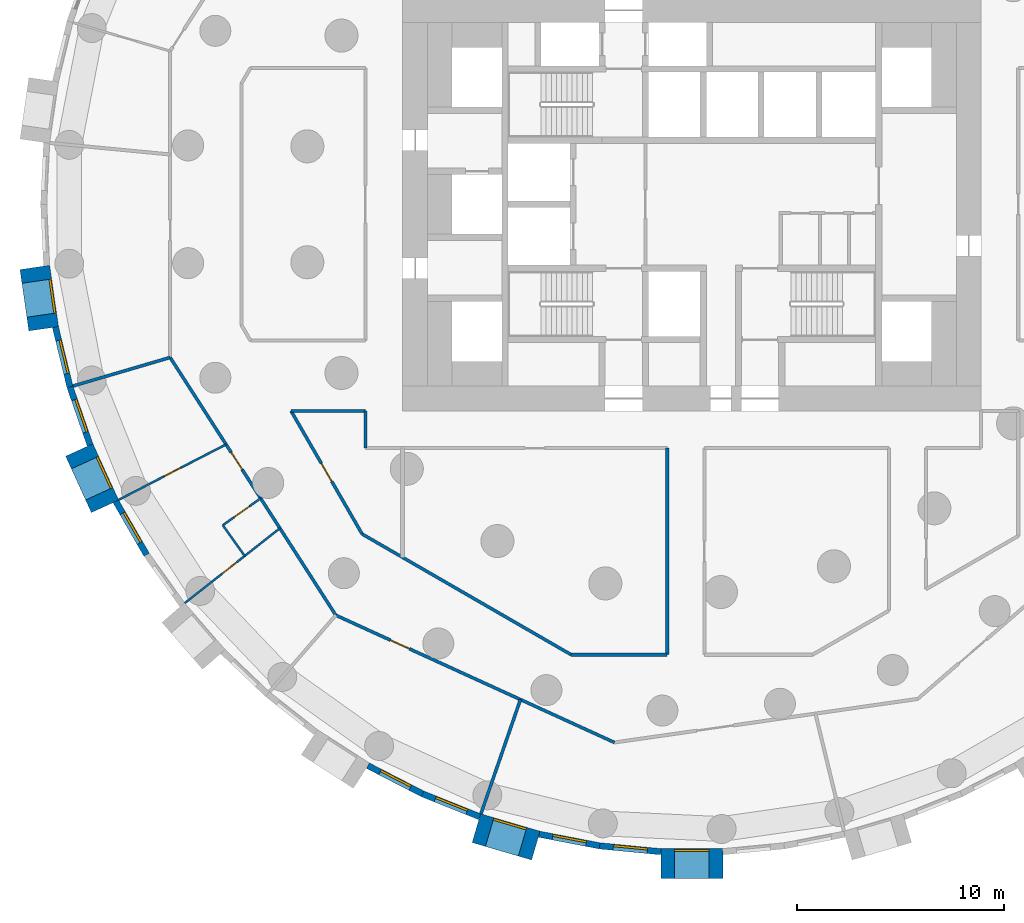
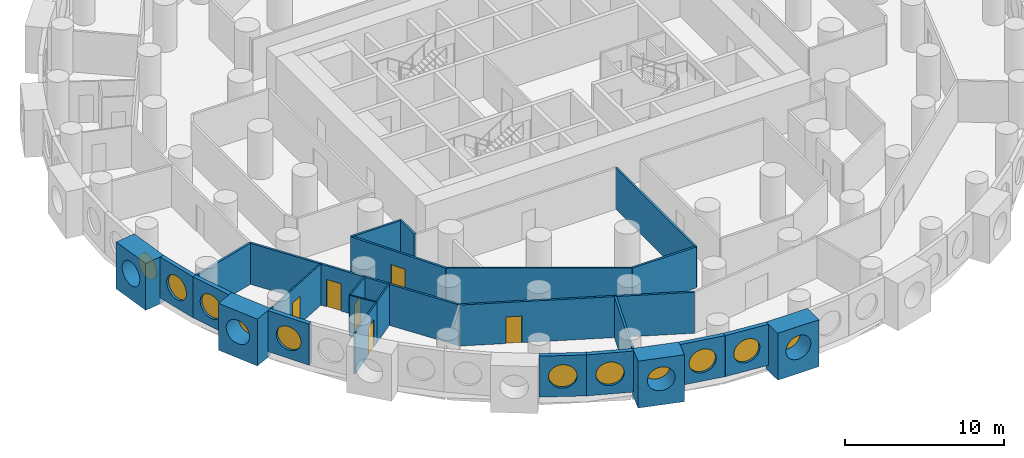
# One storey, part 3 of 12: 26 walls, 11 windows, 6 doors, 17 openings.
"""IFC4 building model written with IfcOpenShell, lengths in metres."""

import ifcopenshell
import ifcopenshell.guid

model = None  # the IFC model being written
_history = None  # IfcOwnerHistory: only IFC2X3 demands one
_inside = {}  # id of a spatial element -> (the spatial element, [elements in it])
_under = {}  # id of a project, library or spatial element -> (it, [spatial elements below it])
_declared = {}  # id of a project -> (the project, [libraries it declares])
_typed = {}  # id of a type object -> (the type object, [elements of that type])
_made_of = {}  # id of a material, layer set ... -> (it, [elements and type objects made of it])


def new_model(schema):
    """Start an empty IFC model of exactly this schema.

    Asked for "IFC4X3", IfcOpenShell would pick the latest addendum, in which some entities
    have other attributes; the version numbers below select the first issue.
    IFC2X3 requires an IfcOwnerHistory on every rooted entity: one is made here for all.
    """
    global model, _history
    if schema == "IFC4X3":
        model = ifcopenshell.file(schema_version=(4, 3, 0, 0))
    else:
        model = ifcopenshell.file(schema=schema)
    _inside.clear()
    _under.clear()
    _declared.clear()
    _typed.clear()
    _made_of.clear()
    _history = None
    if model.schema == "IFC2X3":
        org = make("IfcOrganization", Name="unknown")
        user = make(
            "IfcPersonAndOrganization",
            ThePerson=make("IfcPerson", FamilyName="unknown"),
            TheOrganization=org,
        )
        app = make(
            "IfcApplication",
            ApplicationDeveloper=org,
            Version="unknown",
            ApplicationFullName="unknown",
            ApplicationIdentifier="unknown",
        )
        _history = make(
            "IfcOwnerHistory",
            OwningUser=user,
            OwningApplication=app,
            ChangeAction="ADDED",
            CreationDate=0,
        )
    return model


def make(cls, **values):
    """One entity of the class cls with the attributes given. An attribute that is None is left unset."""
    return model.create_entity(
        cls, **{name: value for name, value in values.items() if value is not None}
    )


def rooted(cls, **values):
    """An entity with a GlobalId (a new one), such as an element, a storey or a relation."""
    return make(cls, GlobalId=ifcopenshell.guid.new(), OwnerHistory=_history, **values)


def si_unit(unit_type, name, prefix=None):
    """IfcSIUnit, for example si_unit("LENGTHUNIT", "METRE", prefix="MILLI")."""
    return make("IfcSIUnit", UnitType=unit_type, Prefix=prefix, Name=name)


def assignment(units):
    """IfcUnitAssignment: the units of a project."""
    return None if units is None else make("IfcUnitAssignment", Units=units)


def point(xyz):
    """IfcCartesianPoint."""
    return None if xyz is None else make("IfcCartesianPoint", Coordinates=xyz)


def direction(xyz):
    """IfcDirection."""
    return None if xyz is None else make("IfcDirection", DirectionRatios=xyz)


def frame(location, z_axis=None, x_axis=None):
    """IfcAxis2Placement3D, a coordinate frame: its origin and axes. An axis left out is left unset."""
    return make(
        "IfcAxis2Placement3D",
        Location=point(location),
        Axis=direction(z_axis),
        RefDirection=direction(x_axis),
    )


def frame_2d(location, x_axis=None):
    """IfcAxis2Placement2D, a coordinate frame in the plane: its origin and x axis."""
    return make(
        "IfcAxis2Placement2D", Location=point(location), RefDirection=direction(x_axis)
    )


def origin():
    """The frame at (0, 0, 0) with its axes left unset."""
    return frame((0.0, 0.0, 0.0))


def origin_2d():
    """The frame at (0, 0) in the plane with its x axis left unset."""
    return frame_2d((0.0, 0.0))


def place(relative_to, where):
    """IfcLocalPlacement: puts the frame where relative to a parent placement (None: the world)."""
    return make(
        "IfcLocalPlacement", PlacementRelTo=relative_to, RelativePlacement=where
    )


def context(
    kind, dimensions, precision=None, world=None, true_north=None, identifier=None
):
    """IfcGeometricRepresentationContext, for example the 3D "Model" context."""
    return make(
        "IfcGeometricRepresentationContext",
        ContextIdentifier=identifier,
        ContextType=kind,
        CoordinateSpaceDimension=dimensions,
        Precision=precision,
        WorldCoordinateSystem=world,
        TrueNorth=true_north,
    )


def subcontext(parent, identifier, kind, view, scale=None):
    """IfcGeometricRepresentationSubContext, for example "Body" below "Model"."""
    return make(
        "IfcGeometricRepresentationSubContext",
        ContextIdentifier=identifier,
        ContextType=kind,
        ParentContext=parent,
        TargetScale=scale,
        TargetView=view,
    )


def project(units=None, contexts=None):
    """IfcProject with its units and contexts."""
    return rooted(
        "IfcProject",
        Name="project",
        RepresentationContexts=contexts,
        UnitsInContext=assignment(units),
    )


def spatial(cls, under=None, at=None, **own):
    """A site, building, storey or space (cls), placed at a placement, below another one or the project."""
    s = rooted(cls, ObjectPlacement=at, **own)
    if under is not None:
        _under.setdefault(under.id(), (under, []))[1].append(s)
    return s


def profile(cls, at=None, kind="AREA", **sizes):
    """A parametric profile (cls). Its sizes go by their IFC names, for example OverallWidth=200.0."""
    return make(cls, ProfileType=kind, Position=at, **sizes)


def rectangle(**sizes):
    """IfcRectangleProfileDef."""
    return profile("IfcRectangleProfileDef", **sizes)


def circle(**sizes):
    """IfcCircleProfileDef."""
    return profile("IfcCircleProfileDef", **sizes)


def extrude(swept, where, along, depth):
    """IfcExtrudedAreaSolid: the profile swept, set in the frame where, extruded along a direction by depth."""
    return make(
        "IfcExtrudedAreaSolid",
        SweptArea=swept,
        Position=where,
        ExtrudedDirection=direction(along),
        Depth=depth,
    )


def shape(context_of_items, identifier, shape_type, items):
    """IfcShapeRepresentation: the items that make up one representation, for example the "Body"."""
    return make(
        "IfcShapeRepresentation",
        ContextOfItems=context_of_items,
        RepresentationIdentifier=identifier,
        RepresentationType=shape_type,
        Items=items,
    )


def material(Name=None, Category=None):
    """IfcMaterial."""
    return make("IfcMaterial", Name=Name, Category=Category)


def layer(
    of_material, thickness, ventilated=None, Name=None, Category=None, Priority=None
):
    """IfcMaterialLayer: one layer of a wall or slab, of a material (None: an air gap)."""
    return make(
        "IfcMaterialLayer",
        Material=of_material,
        LayerThickness=thickness,
        IsVentilated=ventilated,
        Name=Name,
        Category=Category,
        Priority=Priority,
    )


def layer_set(layers, Name=None):
    """IfcMaterialLayerSet."""
    return make("IfcMaterialLayerSet", MaterialLayers=layers, LayerSetName=Name)


def made_of(thing, what):
    """Note that an element or type object is made of a material, layer set ...; save() writes the relation."""
    if what is not None:
        _made_of.setdefault(what.id(), (what, []))[1].append(thing)
    return thing


def type_object(cls, material=None, **own):
    """A type object (cls), such as IfcWallType, which elements share."""
    return made_of(rooted(cls, **own), material)


def element(
    cls,
    number,
    at=None,
    inside=None,
    cuts=None,
    type_object=None,
    material=None,
    context=None,
    identifier="Body",
    shape_type=None,
    held_by="IfcProductDefinitionShape",
    body=None,
    shapes=None,
    **own,
):
    """One element of the class cls, such as IfcWall. Its Tag is "e" and its number.

    at: its placement. inside: the storey or other place that contains it. cuts: it is an
    opening in that element (IfcRelVoidsElement). A single representation is given by context,
    identifier, shape_type and body (its items); several are given by shapes. held_by: the class
    of the entity that holds the representations. save() writes the other relations.
    """
    e = rooted(cls, Tag="e%d" % number, ObjectPlacement=at, **own)
    if body is not None:
        shapes = [shape(context, identifier, shape_type, body)]
    if shapes is not None:
        e.Representation = make(held_by, Representations=shapes)
    if inside is not None:
        _inside.setdefault(inside.id(), (inside, []))[1].append(e)
    if cuts is not None:
        rooted(
            "IfcRelVoidsElement", RelatingBuildingElement=cuts, RelatedOpeningElement=e
        )
    if type_object is not None:
        _typed.setdefault(type_object.id(), (type_object, []))[1].append(e)
    return made_of(e, material)


def fill(opening, filler):
    """IfcRelFillsElement: the door or window that sits in an opening."""
    return rooted(
        "IfcRelFillsElement",
        RelatingOpeningElement=opening,
        RelatedBuildingElement=filler,
    )


def aggregate(whole, parts):
    """IfcRelAggregates: a whole, such as a stair, and the parts it consists of."""
    return rooted("IfcRelAggregates", RelatingObject=whole, RelatedObjects=parts)


def save(model, path):
    """Write the relations noted so far, then the file.

    IfcRelAggregates (storeys below a building ...), IfcRelContainedInSpatialStructure (elements
    in a storey), IfcRelDefinesByType, IfcRelAssociatesMaterial and IfcRelDeclares: one each for
    every whole, place, type object, material and project.
    """
    for whole, parts in _under.values():
        aggregate(whole, parts)
    for where, things in _inside.values():
        rooted(
            "IfcRelContainedInSpatialStructure",
            RelatedElements=things,
            RelatingStructure=where,
        )
    for kind, things in _typed.values():
        rooted("IfcRelDefinesByType", RelatedObjects=things, RelatingType=kind)
    for what, things in _made_of.values():
        rooted("IfcRelAssociatesMaterial", RelatedObjects=things, RelatingMaterial=what)
    for by, libraries in _declared.values():
        rooted("IfcRelDeclares", RelatingContext=by, RelatedDefinitions=libraries)
    model.write(path)


model = new_model("IFC4")

# Units and contexts
model_context = context("Model", 3, precision=1e-05, world=origin(), true_north=direction((0.0, 1.0)))
body_context = subcontext(model_context, "Body", "Model", "MODEL_VIEW")
ifc_project = project(units=[si_unit("LENGTHUNIT", "METRE"), si_unit("AREAUNIT", "SQUARE_METRE"), si_unit("VOLUMEUNIT", "CUBIC_METRE"), si_unit("PLANEANGLEUNIT", "RADIAN"), si_unit("MASSUNIT", "GRAM", prefix="KILO")], contexts=[model_context])

# Site, building, storey
site_placement = place(None, origin())
site = spatial("IfcSite", under=ifc_project, at=site_placement, CompositionType="ELEMENT")
building_placement = place(site_placement, origin())
building = spatial("IfcBuilding", under=site, at=building_placement, Name="Tracery Tower", CompositionType="ELEMENT")
storey_placement = place(building_placement, frame((0.0, 0.0, 57.0)))
storey = spatial("IfcBuildingStorey", under=building, at=storey_placement, Name="L13", CompositionType="ELEMENT", Elevation=57.0)

# Wall, opening, window
ifc_material_1 = material(Name="Precast concrete C50/60", Category="concrete")
ifc_layer_1 = layer(ifc_material_1, 1.449951171875)
ifc_layer_set_1 = layer_set([ifc_layer_1], Name="Deep-set bay unit 3000 x 3600, slab edge 450")
wall_type_1 = type_object("IfcWallType", Name="Deep-set bay unit 3000 x 3600, slab edge 450", PredefinedType="ELEMENTEDWALL", material=ifc_layer_set_1)
wall_1_placement = place(storey_placement, frame((-31.802490234375, -3.05712890625, -0.449951171875), z_axis=(0.0, 0.0, 1.0), x_axis=(0.142332746704, -0.989818866872, 0.0)))
wall_1 = element("IfcWall", 1, at=wall_1_placement, inside=storey, type_object=wall_type_1, Name="Deep-set bay unit 35 at L13", PredefinedType="ELEMENTEDWALL", context=body_context, shape_type="SweptSolid", body=[
    extrude(rectangle(XDim=3.0, YDim=1.449951171875, at=frame_2d((1.5, 0.0))), origin(), (0.0, 0.0, 1.0), 3.599853515625),
])
opening_1_placement = place(wall_1_placement, frame((1.5, 0.0, 2.0)))
opening_1 = element("IfcOpeningElement", 2, at=opening_1_placement, cuts=wall_1, Name="Opening WN1", PredefinedType="OPENING", context=body_context, shape_type="SweptSolid", body=[
    extrude(circle(Radius=0.9000244140625, at=origin_2d()), frame((0.0, 0.73486328125, 0.0), z_axis=(0.0, -1.0, 0.0), x_axis=(1.0, 0.0, 0.0)), (0.0, 0.0, 1.0), 1.469970703125),
])
ifc_material_2 = material(Name="Aluminium frame with tinted double glazing", Category="aluminium")
window_type = type_object("IfcWindowType", Name="Round window 1800", PartitioningType="SINGLE_PANEL", PredefinedType="WINDOW", material=ifc_material_2)
window_1_placement = place(opening_1_placement, origin())
window_1 = element("IfcWindow", 3, at=window_1_placement, inside=storey, type_object=window_type, Name="Round window 35 at L13", OverallHeight=1.800048828125, OverallWidth=1.800048828125, PartitioningType="SINGLE_PANEL", PredefinedType="WINDOW", context=body_context, shape_type="SweptSolid", body=[
    extrude(circle(Radius=0.9000244140625, at=origin_2d()), frame((0.0, 0.69482421875, 0.0), z_axis=(0.0, -1.0, 0.0), x_axis=(1.0, 0.0, 0.0)), (0.0, 0.0, 1.0), 0.10009765625),
])
fill(opening_1, window_1)

wall_2_placement = place(storey_placement, frame((-29.653076171875, -11.89306640625, -0.449951171875), z_axis=(0.0, 0.0, 1.0), x_axis=(0.415427028395, -0.909626508012, 0.0)))
wall_2 = element("IfcWall", 4, at=wall_2_placement, inside=storey, type_object=wall_type_1, Name="Deep-set bay unit 38 at L13", PredefinedType="ELEMENTEDWALL", context=body_context, shape_type="SweptSolid", body=[
    extrude(rectangle(XDim=3.000244140625, YDim=1.449951171875, at=frame_2d((1.5, 0.0))), origin(), (0.0, 0.0, 1.0), 3.599853515625),
])
opening_2_placement = place(wall_2_placement, frame((1.5, 0.0, 2.0)))
opening_2 = element("IfcOpeningElement", 5, at=opening_2_placement, cuts=wall_2, Name="Opening WN1", PredefinedType="OPENING", context=body_context, shape_type="SweptSolid", body=[
    extrude(circle(Radius=0.9000244140625, at=origin_2d()), frame((0.0, 0.73486328125, 0.0), z_axis=(0.0, -1.0, 0.0), x_axis=(1.0, 0.0, 0.0)), (0.0, 0.0, 1.0), 1.469970703125),
])
window_2_placement = place(opening_2_placement, origin())
window_2 = element("IfcWindow", 6, at=window_2_placement, inside=storey, type_object=window_type, Name="Round window 38 at L13", OverallHeight=1.800048828125, OverallWidth=1.800048828125, PartitioningType="SINGLE_PANEL", PredefinedType="WINDOW", context=body_context, shape_type="SweptSolid", body=[
    extrude(circle(Radius=0.9000244140625, at=origin_2d()), frame((0.0, 0.69482421875, 0.0), z_axis=(0.0, -1.0, 0.0), x_axis=(1.0, 0.0, 0.0)), (0.0, 0.0, 1.0), 0.10009765625),
])
fill(opening_2, window_2)

wall_3_placement = place(storey_placement, frame((-10.430419921875, -30.198486328125, -0.449951171875), z_axis=(0.0, 0.0, 1.0), x_axis=(0.959489813418, -0.281743319258, 0.0)))
wall_3 = element("IfcWall", 7, at=wall_3_placement, inside=storey, type_object=wall_type_1, Name="Deep-set bay unit 47 at L13", PredefinedType="ELEMENTEDWALL", context=body_context, shape_type="SweptSolid", body=[
    extrude(rectangle(XDim=3.0, YDim=1.449951171875, at=frame_2d((1.5, 0.0))), origin(), (0.0, 0.0, 1.0), 3.599853515625),
])
opening_3_placement = place(wall_3_placement, frame((1.5, 0.0, 2.0)))
opening_3 = element("IfcOpeningElement", 8, at=opening_3_placement, cuts=wall_3, Name="Opening WN1", PredefinedType="OPENING", context=body_context, shape_type="SweptSolid", body=[
    extrude(circle(Radius=0.9000244140625, at=origin_2d()), frame((0.0, 0.73486328125, 0.0), z_axis=(0.0, -1.0, 0.0), x_axis=(1.0, 0.0, 0.0)), (0.0, 0.0, 1.0), 1.469970703125),
])
window_3_placement = place(opening_3_placement, origin())
window_3 = element("IfcWindow", 9, at=window_3_placement, inside=storey, type_object=window_type, Name="Round window 47 at L13", OverallHeight=1.800048828125, OverallWidth=1.800048828125, PartitioningType="SINGLE_PANEL", PredefinedType="WINDOW", context=body_context, shape_type="SweptSolid", body=[
    extrude(circle(Radius=0.9000244140625, at=origin_2d()), frame((0.0, 0.69482421875, 0.0), z_axis=(0.0, -1.0, 0.0), x_axis=(1.0, 0.0, 0.0)), (0.0, 0.0, 1.0), 0.10009765625),
])
fill(opening_3, window_3)

wall_4_placement = place(storey_placement, frame((-1.5, -31.913818359375, -0.449951171875), z_axis=(0.0, 0.0, 1.0), x_axis=(1.0, 0.0, 0.0)))
wall_4 = element("IfcWall", 10, at=wall_4_placement, inside=storey, type_object=wall_type_1, Name="Deep-set bay unit 50 at L13", PredefinedType="ELEMENTEDWALL", context=body_context, shape_type="SweptSolid", body=[
    extrude(rectangle(XDim=3.0, YDim=1.449951171875, at=frame_2d((1.5, 0.0))), origin(), (0.0, 0.0, 1.0), 3.599853515625),
])
opening_4_placement = place(wall_4_placement, frame((1.5, 0.0, 2.0)))
opening_4 = element("IfcOpeningElement", 11, at=opening_4_placement, cuts=wall_4, Name="Opening WN1", PredefinedType="OPENING", context=body_context, shape_type="SweptSolid", body=[
    extrude(circle(Radius=0.9000244140625, at=origin_2d()), frame((0.0, 0.73486328125, 0.0), z_axis=(0.0, -1.0, 0.0), x_axis=(1.0, 0.0, 0.0)), (0.0, 0.0, 1.0), 1.469970703125),
])
window_4_placement = place(opening_4_placement, origin())
window_4 = element("IfcWindow", 12, at=window_4_placement, inside=storey, type_object=window_type, Name="Round window 50 at L13", OverallHeight=1.800048828125, OverallWidth=1.800048828125, PartitioningType="SINGLE_PANEL", PredefinedType="WINDOW", context=body_context, shape_type="SweptSolid", body=[
    extrude(circle(Radius=0.9000244140625, at=origin_2d()), frame((0.0, 0.69482421875, 0.0), z_axis=(0.0, -1.0, 0.0), x_axis=(1.0, 0.0, 0.0)), (0.0, 0.0, 1.0), 0.10009765625),
])
fill(opening_4, window_4)

ifc_material_3 = material(Name="Precast concrete C50/60", Category="concrete")
ifc_layer_2 = layer(ifc_material_3, 0.300048828125)
ifc_layer_set_2 = layer_set([ifc_layer_2], Name="Facade panel 3000 x 3150")
wall_type_2 = type_object("IfcWallType", Name="Facade panel 3000 x 3150", PredefinedType="SOLIDWALL", material=ifc_layer_set_2)
wall_5_placement = place(storey_placement, frame((-30.805908203125, -5.943603515625, 0.0), z_axis=(0.0, 0.0, 1.0), x_axis=(0.235743081534, -0.971815414319, 0.0)))
wall_5 = element("IfcWall", 13, at=wall_5_placement, inside=storey, type_object=wall_type_2, Name="Facade panel 36 at L13", PredefinedType="SOLIDWALL", context=body_context, shape_type="SweptSolid", body=[
    extrude(rectangle(XDim=2.9794921875, YDim=0.300048828125, at=frame_2d((1.48974609375, 0.0))), origin(), (0.0, 0.0, 1.0), 3.14990234375),
])
opening_5_placement = place(wall_5_placement, frame((1.48974609375, 0.0, 1.5498046875)))
opening_5 = element("IfcOpeningElement", 14, at=opening_5_placement, cuts=wall_5, Name="Opening WN1", PredefinedType="OPENING", context=body_context, shape_type="SweptSolid", body=[
    extrude(circle(Radius=0.9000244140625, at=origin_2d()), frame((0.0, 0.159912109375, 0.0), z_axis=(0.0, -1.0, 0.0), x_axis=(1.0, 0.0, 0.0)), (0.0, 0.0, 1.0), 0.320068359375),
])
window_5_placement = place(opening_5_placement, origin())
window_5 = element("IfcWindow", 15, at=window_5_placement, inside=storey, type_object=window_type, Name="Round window 36 at L13", OverallHeight=1.800048828125, OverallWidth=1.800048828125, PartitioningType="SINGLE_PANEL", PredefinedType="WINDOW", context=body_context, shape_type="SweptSolid", body=[
    extrude(circle(Radius=0.9000244140625, at=origin_2d()), frame((0.0, 0.1201171875, 0.0), z_axis=(0.0, -1.0, 0.0), x_axis=(1.0, 0.0, 0.0)), (0.0, 0.0, 1.0), 0.10009765625),
])
fill(opening_5, window_5)

wall_6_placement = place(storey_placement, frame((-30.103515625, -8.839111328125, 0.0), z_axis=(0.0, 0.0, 1.0), x_axis=(0.327071167136, -0.944999709856, 0.0)))
wall_6 = element("IfcWall", 16, at=wall_6_placement, inside=storey, type_object=wall_type_2, Name="Facade panel 37 at L13", PredefinedType="SOLIDWALL", context=body_context, shape_type="SweptSolid", body=[
    extrude(rectangle(XDim=2.979736328125, YDim=0.300048828125, at=frame_2d((1.48974609375, 0.0))), origin(), (0.0, 0.0, 1.0), 3.14990234375),
])
opening_6_placement = place(wall_6_placement, frame((1.48974609375, 0.0, 1.5498046875)))
opening_6 = element("IfcOpeningElement", 17, at=opening_6_placement, cuts=wall_6, Name="Opening WN1", PredefinedType="OPENING", context=body_context, shape_type="SweptSolid", body=[
    extrude(circle(Radius=0.9000244140625, at=origin_2d()), frame((0.0, 0.159912109375, 0.0), z_axis=(0.0, -1.0, 0.0), x_axis=(1.0, 0.0, 0.0)), (0.0, 0.0, 1.0), 0.320068359375),
])
window_6_placement = place(opening_6_placement, origin())
window_6 = element("IfcWindow", 18, at=window_6_placement, inside=storey, type_object=window_type, Name="Round window 37 at L13", OverallHeight=1.800048828125, OverallWidth=1.800048828125, PartitioningType="SINGLE_PANEL", PredefinedType="WINDOW", context=body_context, shape_type="SweptSolid", body=[
    extrude(circle(Radius=0.9000244140625, at=origin_2d()), frame((0.0, 0.1201171875, 0.0), z_axis=(0.0, -1.0, 0.0), x_axis=(1.0, 0.0, 0.0)), (0.0, 0.0, 1.0), 0.10009765625),
])
fill(opening_6, window_6)

wall_7_placement = place(storey_placement, frame((-27.8837890625, -14.3818359375, 0.0), z_axis=(0.0, 0.0, 1.0), x_axis=(0.500025049464, -0.866010940986, 0.0)))
wall_7 = element("IfcWall", 19, at=wall_7_placement, inside=storey, type_object=wall_type_2, Name="Facade panel 39 at L13", PredefinedType="SOLIDWALL", context=body_context, shape_type="SweptSolid", body=[
    extrude(rectangle(XDim=2.979736328125, YDim=0.300048828125, at=frame_2d((1.48974609375, 0.0))), origin(), (0.0, 0.0, 1.0), 3.14990234375),
])
opening_7_placement = place(wall_7_placement, frame((1.48974609375, 0.0, 1.5498046875)))
opening_7 = element("IfcOpeningElement", 20, at=opening_7_placement, cuts=wall_7, Name="Opening WN1", PredefinedType="OPENING", context=body_context, shape_type="SweptSolid", body=[
    extrude(circle(Radius=0.9000244140625, at=origin_2d()), frame((0.0, 0.159912109375, 0.0), z_axis=(0.0, -1.0, 0.0), x_axis=(1.0, 0.0, 0.0)), (0.0, 0.0, 1.0), 0.320068359375),
])
window_7_placement = place(opening_7_placement, origin())
window_7 = element("IfcWindow", 21, at=window_7_placement, inside=storey, type_object=window_type, Name="Round window 39 at L13", OverallHeight=1.800048828125, OverallWidth=1.800048828125, PartitioningType="SINGLE_PANEL", PredefinedType="WINDOW", context=body_context, shape_type="SweptSolid", body=[
    extrude(circle(Radius=0.9000244140625, at=origin_2d()), frame((0.0, 0.1201171875, 0.0), z_axis=(0.0, -1.0, 0.0), x_axis=(1.0, 0.0, 0.0)), (0.0, 0.0, 1.0), 0.10009765625),
])
fill(opening_7, window_7)

wall_8_placement = place(storey_placement, frame((-15.681884765625, -27.173828125, 0.0), z_axis=(0.0, 0.0, 1.0), x_axis=(0.888819853856, -0.458256770153, 0.0)))
wall_8 = element("IfcWall", 22, at=wall_8_placement, inside=storey, type_object=wall_type_2, Name="Facade panel 45 at L13", PredefinedType="SOLIDWALL", context=body_context, shape_type="SweptSolid", body=[
    extrude(rectangle(XDim=2.979736328125, YDim=0.300048828125, at=frame_2d((1.48974609375, 0.0))), origin(), (0.0, 0.0, 1.0), 3.14990234375),
])
opening_8_placement = place(wall_8_placement, frame((1.48974609375, 0.0, 1.5498046875)))
opening_8 = element("IfcOpeningElement", 23, at=opening_8_placement, cuts=wall_8, Name="Opening WN1", PredefinedType="OPENING", context=body_context, shape_type="SweptSolid", body=[
    extrude(circle(Radius=0.9000244140625, at=origin_2d()), frame((0.0, 0.159912109375, 0.0), z_axis=(0.0, -1.0, 0.0), x_axis=(1.0, 0.0, 0.0)), (0.0, 0.0, 1.0), 0.320068359375),
])
window_8_placement = place(opening_8_placement, origin())
window_8 = element("IfcWindow", 24, at=window_8_placement, inside=storey, type_object=window_type, Name="Round window 45 at L13", OverallHeight=1.800048828125, OverallWidth=1.800048828125, PartitioningType="SINGLE_PANEL", PredefinedType="WINDOW", context=body_context, shape_type="SweptSolid", body=[
    extrude(circle(Radius=0.9000244140625, at=origin_2d()), frame((0.0, 0.1201171875, 0.0), z_axis=(0.0, -1.0, 0.0), x_axis=(1.0, 0.0, 0.0)), (0.0, 0.0, 1.0), 0.10009765625),
])
fill(opening_8, window_8)

wall_9_placement = place(storey_placement, frame((-13.033447265625, -28.539306640625, 0.0), z_axis=(0.0, 0.0, 1.0), x_axis=(0.928403213937, -0.371574316054, 0.0)))
wall_9 = element("IfcWall", 25, at=wall_9_placement, inside=storey, type_object=wall_type_2, Name="Facade panel 46 at L13", PredefinedType="SOLIDWALL", context=body_context, shape_type="SweptSolid", body=[
    extrude(rectangle(XDim=2.979736328125, YDim=0.300048828125, at=frame_2d((1.48974609375, 0.0))), origin(), (0.0, 0.0, 1.0), 3.14990234375),
])
opening_9_placement = place(wall_9_placement, frame((1.48974609375, 0.0, 1.5498046875)))
opening_9 = element("IfcOpeningElement", 26, at=opening_9_placement, cuts=wall_9, Name="Opening WN1", PredefinedType="OPENING", context=body_context, shape_type="SweptSolid", body=[
    extrude(circle(Radius=0.9000244140625, at=origin_2d()), frame((0.0, 0.159912109375, 0.0), z_axis=(0.0, -1.0, 0.0), x_axis=(1.0, 0.0, 0.0)), (0.0, 0.0, 1.0), 0.320068359375),
])
window_9_placement = place(opening_9_placement, origin())
window_9 = element("IfcWindow", 27, at=window_9_placement, inside=storey, type_object=window_type, Name="Round window 46 at L13", OverallHeight=1.800048828125, OverallWidth=1.800048828125, PartitioningType="SINGLE_PANEL", PredefinedType="WINDOW", context=body_context, shape_type="SweptSolid", body=[
    extrude(circle(Radius=0.9000244140625, at=origin_2d()), frame((0.0, 0.1201171875, 0.0), z_axis=(0.0, -1.0, 0.0), x_axis=(1.0, 0.0, 0.0)), (0.0, 0.0, 1.0), 0.10009765625),
])
fill(opening_9, window_9)

wall_10_placement = place(storey_placement, frame((-7.390869140625, -30.4912109375, 0.0), z_axis=(0.0, 0.0, 1.0), x_axis=(0.981924535406, -0.189272836848, 0.0)))
wall_10 = element("IfcWall", 28, at=wall_10_placement, inside=storey, type_object=wall_type_2, Name="Facade panel 48 at L13", PredefinedType="SOLIDWALL", context=body_context, shape_type="SweptSolid", body=[
    extrude(rectangle(XDim=2.979736328125, YDim=0.300048828125, at=frame_2d((1.48974609375, 0.0))), origin(), (0.0, 0.0, 1.0), 3.14990234375),
])
opening_10_placement = place(wall_10_placement, frame((1.48974609375, 0.0, 1.5498046875)))
opening_10 = element("IfcOpeningElement", 29, at=opening_10_placement, cuts=wall_10, Name="Opening WN1", PredefinedType="OPENING", context=body_context, shape_type="SweptSolid", body=[
    extrude(circle(Radius=0.9000244140625, at=origin_2d()), frame((0.0, 0.159912109375, 0.0), z_axis=(0.0, -1.0, 0.0), x_axis=(1.0, 0.0, 0.0)), (0.0, 0.0, 1.0), 0.320068359375),
])
window_10_placement = place(opening_10_placement, origin())
window_10 = element("IfcWindow", 30, at=window_10_placement, inside=storey, type_object=window_type, Name="Round window 48 at L13", OverallHeight=1.800048828125, OverallWidth=1.800048828125, PartitioningType="SINGLE_PANEL", PredefinedType="WINDOW", context=body_context, shape_type="SweptSolid", body=[
    extrude(circle(Radius=0.9000244140625, at=origin_2d()), frame((0.0, 0.1201171875, 0.0), z_axis=(0.0, -1.0, 0.0), x_axis=(1.0, 0.0, 0.0)), (0.0, 0.0, 1.0), 0.10009765625),
])
fill(opening_10, window_10)

wall_11_placement = place(storey_placement, frame((-4.465087890625, -31.05517578125, 0.0), z_axis=(0.0, 0.0, 1.0), x_axis=(0.995473351551, -0.095041077185, 0.0)))
wall_11 = element("IfcWall", 31, at=wall_11_placement, inside=storey, type_object=wall_type_2, Name="Facade panel 49 at L13", PredefinedType="SOLIDWALL", context=body_context, shape_type="SweptSolid", body=[
    extrude(rectangle(XDim=2.979736328125, YDim=0.300048828125, at=frame_2d((1.48974609375, 0.0))), origin(), (0.0, 0.0, 1.0), 3.14990234375),
])
opening_11_placement = place(wall_11_placement, frame((1.48974609375, 0.0, 1.5498046875)))
opening_11 = element("IfcOpeningElement", 32, at=opening_11_placement, cuts=wall_11, Name="Opening WN1", PredefinedType="OPENING", context=body_context, shape_type="SweptSolid", body=[
    extrude(circle(Radius=0.9000244140625, at=origin_2d()), frame((0.0, 0.159912109375, 0.0), z_axis=(0.0, -1.0, 0.0), x_axis=(1.0, 0.0, 0.0)), (0.0, 0.0, 1.0), 0.320068359375),
])
window_11_placement = place(opening_11_placement, origin())
window_11 = element("IfcWindow", 33, at=window_11_placement, inside=storey, type_object=window_type, Name="Round window 49 at L13", OverallHeight=1.800048828125, OverallWidth=1.800048828125, PartitioningType="SINGLE_PANEL", PredefinedType="WINDOW", context=body_context, shape_type="SweptSolid", body=[
    extrude(circle(Radius=0.9000244140625, at=origin_2d()), frame((0.0, 0.1201171875, 0.0), z_axis=(0.0, -1.0, 0.0), x_axis=(1.0, 0.0, 0.0)), (0.0, 0.0, 1.0), 0.10009765625),
])
fill(opening_11, window_11)

# Wall, opening, door
ifc_material_4 = material(Name="Plasterboard on steel studs", Category="steel")
ifc_layer_3 = layer(ifc_material_4, 0.10009765625)
ifc_layer_set_3 = layer_set([ifc_layer_3], Name="Partition 100 stud")
wall_type_3 = type_object("IfcWallType", Name="Partition 100 stud", PredefinedType="PARTITIONING", material=ifc_layer_set_3)
wall_12_placement = place(storey_placement, frame((-27.7529296875, -14.30810546875, 0.0), z_axis=(0.0, 0.0, 1.0), x_axis=(0.88877955153, 0.45833493079, 0.0)))
wall_12 = element("IfcWall", 34, at=wall_12_placement, inside=storey, type_object=wall_type_3, Name="Stud partition RA3-094", PredefinedType="PARTITIONING", context=body_context, shape_type="SweptSolid", body=[
    extrude(rectangle(XDim=5.856201171875, YDim=0.10009765625, at=frame_2d((2.92822265625, 0.0))), origin(), (0.0, 0.0, 1.0), 3.14990234375),
])
opening_12_placement = place(wall_12_placement, frame((2.47802734375, 0.0, 0.0)))
opening_12 = element("IfcOpeningElement", 35, at=opening_12_placement, cuts=wall_12, Name="Opening RA3-34", PredefinedType="OPENING", context=body_context, shape_type="SweptSolid", body=[
    extrude(rectangle(XDim=0.89990234375, YDim=2.10009765625, at=frame_2d((0.449951171875, 1.050048828125))), frame((0.0, 0.050048828125, 0.0), z_axis=(0.0, -1.0, 0.0), x_axis=(1.0, 0.0, 0.0)), (0.0, 0.0, 1.0), 0.10009765625),
])
ifc_material_5 = material(Name="Timber door leaf", Category="wood")
door_type_1 = type_object("IfcDoorType", Name="Door bedroom 900", OperationType="NOTDEFINED", PredefinedType="DOOR", material=ifc_material_5)
door_1_placement = place(opening_12_placement, origin())
door_1 = element("IfcDoor", 36, at=door_1_placement, inside=storey, type_object=door_type_1, Name="Bedroom door RA3-34", OperationType="SINGLE_SWING_LEFT", OverallHeight=2.10009765625, OverallWidth=0.89990234375, PredefinedType="DOOR", context=body_context, shape_type="SweptSolid", body=[
    extrude(rectangle(XDim=0.89990234375, YDim=2.10009765625, at=frame_2d((0.449951171875, 1.050048828125))), frame((0.0, 0.02490234375, 0.0), z_axis=(0.0, -1.0, 0.0), x_axis=(1.0, 0.0, 0.0)), (0.0, 0.0, 1.0), 0.050048828125),
])
fill(opening_12, door_1)

wall_13_placement = place(storey_placement, frame((-24.5439453125, -19.302001953125, 0.0), z_axis=(0.0, 0.0, 1.0), x_axis=(0.785987576403, 0.618242290481, 0.0)))
wall_13 = element("IfcWall", 37, at=wall_13_placement, inside=storey, type_object=wall_type_3, Name="Stud partition RA3-095", PredefinedType="PARTITIONING", context=body_context, shape_type="SweptSolid", body=[
    extrude(rectangle(XDim=3.689453125, YDim=0.10009765625, at=frame_2d((1.8447265625, 0.0))), origin(), (0.0, 0.0, 1.0), 3.14990234375),
])
opening_13_placement = place(wall_13_placement, frame((2.294677734375, 0.0, 0.0)))
opening_13 = element("IfcOpeningElement", 38, at=opening_13_placement, cuts=wall_13, Name="Opening RA3-35", PredefinedType="OPENING", context=body_context, shape_type="SweptSolid", body=[
    extrude(rectangle(XDim=0.89990234375, YDim=2.10009765625, at=frame_2d((0.449951171875, 1.050048828125))), frame((0.0, 0.050048828125, 0.0), z_axis=(0.0, -1.0, 0.0), x_axis=(1.0, 0.0, 0.0)), (0.0, 0.0, 1.0), 0.10009765625),
])
door_2_placement = place(opening_13_placement, origin())
door_2 = element("IfcDoor", 39, at=door_2_placement, inside=storey, type_object=door_type_1, Name="Bedroom door RA3-35", OperationType="SINGLE_SWING_LEFT", OverallHeight=2.10009765625, OverallWidth=0.89990234375, PredefinedType="DOOR", context=body_context, shape_type="SweptSolid", body=[
    extrude(rectangle(XDim=0.89990234375, YDim=2.10009765625, at=frame_2d((0.449951171875, 1.050048828125))), frame((0.0, 0.02490234375, 0.0), z_axis=(0.0, -1.0, 0.0), x_axis=(1.0, 0.0, 0.0)), (0.0, 0.0, 1.0), 0.050048828125),
])
fill(opening_13, door_2)

ifc_material_6 = material(Name="Plasterboard on steel studs", Category="steel")
ifc_layer_4 = layer(ifc_material_6, 0.10009765625)
ifc_layer_set_4 = layer_set([ifc_layer_4], Name="Partition 100 wet wall")
wall_type_4 = type_object("IfcWallType", Name="Partition 100 wet wall", PredefinedType="PARTITIONING", material=ifc_layer_set_4)
wall_14_placement = place(storey_placement, frame((-22.702880859375, -15.534912109375, 0.0), z_axis=(0.0, 0.0, 1.0), x_axis=(0.814525331415, 0.580127989743, 0.0)))
wall_14 = element("IfcWall", 40, at=wall_14_placement, inside=storey, type_object=wall_type_4, Name="Wet wall RA3-096", PredefinedType="PARTITIONING", context=body_context, shape_type="SweptSolid", body=[
    extrude(rectangle(XDim=2.247802734375, YDim=0.10009765625, at=frame_2d((1.1240234375, 0.0))), origin(), (0.0, 0.0, 1.0), 3.14990234375),
])
opening_14_placement = place(wall_14_placement, frame((0.673828125, 0.0, 0.0)))
opening_14 = element("IfcOpeningElement", 41, at=opening_14_placement, cuts=wall_14, Name="Opening RA3-36", PredefinedType="OPENING", context=body_context, shape_type="SweptSolid", body=[
    extrude(rectangle(XDim=0.89990234375, YDim=2.0, at=frame_2d((0.449951171875, 1.0))), frame((0.0, 0.050048828125, 0.0), z_axis=(0.0, -1.0, 0.0), x_axis=(1.0, 0.0, 0.0)), (0.0, 0.0, 1.0), 0.10009765625),
])
ifc_material_7 = material(Name="Timber door leaf", Category="wood")
door_type_2 = type_object("IfcDoorType", Name="Door shower room 900", OperationType="NOTDEFINED", PredefinedType="DOOR", material=ifc_material_7)
door_3_placement = place(opening_14_placement, origin())
door_3 = element("IfcDoor", 42, at=door_3_placement, inside=storey, type_object=door_type_2, Name="Shower room door RA3-36", OperationType="SINGLE_SWING_RIGHT", OverallHeight=2.0, OverallWidth=0.89990234375, PredefinedType="DOOR", context=body_context, shape_type="SweptSolid", body=[
    extrude(rectangle(XDim=0.89990234375, YDim=2.0, at=frame_2d((0.449951171875, 1.0))), frame((0.0, 0.02490234375, 0.0), z_axis=(0.0, -1.0, 0.0), x_axis=(1.0, 0.0, 0.0)), (0.0, 0.0, 1.0), 0.050048828125),
])
fill(opening_14, door_3)

# Walls
wall_15_placement = place(storey_placement, frame((-22.702880859375, -15.534912109375, 0.0), z_axis=(0.0, 0.0, 1.0), x_axis=(0.580275898497, -0.814419966371, 0.0)))
element("IfcWall", 43, at=wall_15_placement, inside=storey, type_object=wall_type_4, Name="Wet wall RA3-097", PredefinedType="PARTITIONING", context=body_context, shape_type="SweptSolid", body=[
    extrude(rectangle(XDim=1.82470703125, YDim=0.10009765625, at=frame_2d((0.912353515625, 0.0))), origin(), (0.0, 0.0, 1.0), 3.14990234375),
])
wall_16_placement = place(storey_placement, frame((-21.64697265625, -17.02294921875, 0.0), z_axis=(0.0, 0.0, 1.0), x_axis=(0.786138836794, 0.618049940769, 0.0)))
element("IfcWall", 44, at=wall_16_placement, inside=storey, type_object=wall_type_4, Name="Wet wall RA3-098", PredefinedType="PARTITIONING", context=body_context, shape_type="SweptSolid", body=[
    extrude(rectangle(XDim=2.17138671875, YDim=0.10009765625, at=frame_2d((1.085693359375, 0.0))), origin(), (0.0, 0.0, 1.0), 3.14990234375),
])
ifc_material_8 = material(Name="Plasterboard on steel studs", Category="steel")
ifc_layer_5 = layer(ifc_material_8, 0.14990234375)
ifc_layer_set_5 = layer_set([ifc_layer_5], Name="Partition 150 acoustic unit wall")
wall_type_5 = type_object("IfcWallType", Name="Partition 150 acoustic unit wall", PredefinedType="PARTITIONING", material=ifc_layer_set_5)
wall_17_placement = place(storey_placement, frame((-29.958984375, -8.797119140625, 0.0), z_axis=(0.0, 0.0, 1.0), x_axis=(0.959478767209, 0.281780934902, 0.0)))
element("IfcWall", 45, at=wall_17_placement, inside=storey, type_object=wall_type_5, Name="Unit wall RA3-093", PredefinedType="PARTITIONING", context=body_context, shape_type="SweptSolid", body=[
    extrude(rectangle(XDim=4.90478515625, YDim=0.14990234375, at=frame_2d((2.452392578125, 0.0))), origin(), (0.0, 0.0, 1.0), 3.14990234375),
])
wall_18_placement = place(storey_placement, frame((-10.2119140625, -29.507080078125, 0.0), z_axis=(0.0, 0.0, 1.0), x_axis=(0.32692444056, 0.94505048022, 0.0)))
element("IfcWall", 46, at=wall_18_placement, inside=storey, type_object=wall_type_5, Name="Unit wall RA3-100", PredefinedType="PARTITIONING", context=body_context, shape_type="SweptSolid", body=[
    extrude(rectangle(XDim=5.85693359375, YDim=0.14990234375, at=frame_2d((2.928466796875, 0.0))), origin(), (0.0, 0.0, 1.0), 3.14990234375),
])
ifc_material_9 = material(Name="Plasterboard on steel studs", Category="steel")
ifc_layer_6 = layer(ifc_material_9, 0.14990234375)
ifc_layer_set_6 = layer_set([ifc_layer_6], Name="Partition 150 corridor wall")
wall_type_6 = type_object("IfcWallType", Name="Partition 150 corridor wall", PredefinedType="PARTITIONING", material=ifc_layer_set_6)
wall_19_placement = place(storey_placement, frame((-15.800048828125, -11.800048828125, 0.0), z_axis=(0.0, 0.0, 1.0), x_axis=(0.0, 1.0, 0.0)))
element("IfcWall", 47, at=wall_19_placement, inside=storey, type_object=wall_type_6, Name="Corridor wall RA3-009", PredefinedType="PARTITIONING", context=body_context, shape_type="SweptSolid", body=[
    extrude(rectangle(XDim=1.800048828125, YDim=0.14990234375, at=frame_2d((0.89990234375, 0.0))), origin(), (0.0, 0.0, 1.0), 3.14990234375),
])
wall_20_placement = place(storey_placement, frame((-19.40087890625, -10.0, 0.0), z_axis=(0.0, 0.0, 1.0), x_axis=(1.0, 0.0, 0.0)))
element("IfcWall", 48, at=wall_20_placement, inside=storey, type_object=wall_type_6, Name="Corridor wall RA3-043", PredefinedType="PARTITIONING", context=body_context, shape_type="SweptSolid", body=[
    extrude(rectangle(XDim=3.600830078125, YDim=0.14990234375, at=frame_2d((1.80029296875, 0.0))), origin(), (0.0, 0.0, 1.0), 3.14990234375),
])

# Wall, opening, door
wall_21_placement = place(storey_placement, frame((-19.40087890625, -10.0, 0.0), z_axis=(0.0, 0.0, 1.0), x_axis=(0.499992689227, -0.86602962462, 0.0)))
wall_21 = element("IfcWall", 49, at=wall_21_placement, inside=storey, type_object=wall_type_6, Name="Corridor wall RA3-044", PredefinedType="PARTITIONING", context=body_context, shape_type="SweptSolid", body=[
    extrude(rectangle(XDim=6.8818359375, YDim=0.14990234375, at=frame_2d((3.44091796875, 0.0))), origin(), (0.0, 0.0, 1.0), 3.14990234375),
])
opening_15_placement = place(wall_21_placement, frame((2.94091796875, 0.0, 0.0)))
opening_15 = element("IfcOpeningElement", 50, at=opening_15_placement, cuts=wall_21, Name="Opening RA3-10", PredefinedType="OPENING", context=body_context, shape_type="SweptSolid", body=[
    extrude(rectangle(XDim=1.0, YDim=2.0400390625, at=frame_2d((0.5, 1.02001953125))), frame((0.0, 0.074951171875, 0.0), z_axis=(0.0, -1.0, 0.0), x_axis=(1.0, 0.0, 0.0)), (0.0, 0.0, 1.0), 0.14990234375),
])
ifc_material_10 = material(Name="Timber door leaf", Category="wood")
door_type_3 = type_object("IfcDoorType", Name="Door communal room 1000", OperationType="NOTDEFINED", PredefinedType="DOOR", material=ifc_material_10)
door_4_placement = place(opening_15_placement, origin())
door_4 = element("IfcDoor", 51, at=door_4_placement, inside=storey, type_object=door_type_3, Name="Communal room door RA3-10", OperationType="SINGLE_SWING_LEFT", OverallHeight=2.0400390625, OverallWidth=1.0, PredefinedType="DOOR", context=body_context, shape_type="SweptSolid", body=[
    extrude(rectangle(XDim=1.0, YDim=2.0400390625, at=frame_2d((0.5, 1.02001953125))), frame((0.0, 0.02490234375, 0.0), z_axis=(0.0, -1.0, 0.0), x_axis=(1.0, 0.0, 0.0)), (0.0, 0.0, 1.0), 0.050048828125),
])
fill(opening_15, door_4)

wall_22_placement = place(storey_placement, frame((-25.252685546875, -7.414794921875, 0.0), z_axis=(0.0, 0.0, 1.0), x_axis=(0.540667724156, -0.841236240337, 0.0)))
wall_22 = element("IfcWall", 52, at=wall_22_placement, inside=storey, type_object=wall_type_6, Name="Corridor wall RA3-046", PredefinedType="PARTITIONING", context=body_context, shape_type="SweptSolid", body=[
    extrude(rectangle(XDim=14.82958984375, YDim=0.14990234375, at=frame_2d((7.414794921875, 0.0))), origin(), (0.0, 0.0, 1.0), 3.14990234375),
])
opening_16_placement = place(wall_22_placement, frame((5.4521484375, 0.0, 0.0)))
opening_16 = element("IfcOpeningElement", 53, at=opening_16_placement, cuts=wall_22, Name="Opening RA3-37", PredefinedType="OPENING", context=body_context, shape_type="SweptSolid", body=[
    extrude(rectangle(XDim=1.0, YDim=2.10009765625, at=frame_2d((0.5, 1.050048828125))), frame((0.0, 0.074951171875, 0.0), z_axis=(0.0, -1.0, 0.0), x_axis=(1.0, 0.0, 0.0)), (0.0, 0.0, 1.0), 0.14990234375),
])
ifc_material_11 = material(Name="Timber door leaf", Category="wood")
door_type_4 = type_object("IfcDoorType", Name="Door unit entrance 1000", OperationType="NOTDEFINED", PredefinedType="DOOR", material=ifc_material_11)
door_5_placement = place(opening_16_placement, origin())
door_5 = element("IfcDoor", 54, at=door_5_placement, inside=storey, type_object=door_type_4, Name="Unit entrance door RA3-37", OperationType="SINGLE_SWING_RIGHT", OverallHeight=2.10009765625, OverallWidth=1.0, PredefinedType="DOOR", context=body_context, shape_type="SweptSolid", body=[
    extrude(rectangle(XDim=1.0, YDim=2.10009765625, at=frame_2d((0.5, 1.050048828125))), frame((0.0, 0.02490234375, 0.0), z_axis=(0.0, -1.0, 0.0), x_axis=(1.0, 0.0, 0.0)), (0.0, 0.0, 1.0), 0.050048828125),
])
fill(opening_16, door_5)

# Walls
wall_23_placement = place(storey_placement, frame((-15.960205078125, -15.960205078125, 0.0), z_axis=(0.0, 0.0, 1.0), x_axis=(0.866022730501, -0.500004630234, 0.0)))
element("IfcWall", 55, at=wall_23_placement, inside=storey, type_object=wall_type_6, Name="Corridor wall RA3-047", PredefinedType="PARTITIONING", context=body_context, shape_type="SweptSolid", body=[
    extrude(rectangle(XDim=11.68359375, YDim=0.14990234375, at=frame_2d((5.841796875, 0.0))), origin(), (0.0, 0.0, 1.0), 3.14990234375),
])
wall_24_placement = place(storey_placement, frame((-5.842041015625, -21.802001953125, 0.0), z_axis=(0.0, 0.0, 1.0), x_axis=(1.0, 0.0, 0.0)))
element("IfcWall", 56, at=wall_24_placement, inside=storey, type_object=wall_type_6, Name="Corridor wall RA3-048", PredefinedType="PARTITIONING", context=body_context, shape_type="SweptSolid", body=[
    extrude(rectangle(XDim=4.650146484375, YDim=0.14990234375, at=frame_2d((2.3251953125, 0.0))), origin(), (0.0, 0.0, 1.0), 3.14990234375),
])
wall_25_placement = place(storey_placement, frame((-1.19189453125, -21.802001953125, 0.0), z_axis=(0.0, 0.0, 1.0), x_axis=(0.0, 1.0, 0.0)))
element("IfcWall", 57, at=wall_25_placement, inside=storey, type_object=wall_type_6, Name="Corridor wall RA3-049", PredefinedType="PARTITIONING", context=body_context, shape_type="SweptSolid", body=[
    extrude(rectangle(XDim=10.001953125, YDim=0.14990234375, at=frame_2d((5.0009765625, 0.0))), origin(), (0.0, 0.0, 1.0), 3.14990234375),
])

# Wall, opening, door
wall_26_placement = place(storey_placement, frame((-17.235107421875, -19.889892578125, 0.0), z_axis=(0.0, 0.0, 1.0), x_axis=(0.909617953634, -0.415445758705, 0.0)))
wall_26 = element("IfcWall", 58, at=wall_26_placement, inside=storey, type_object=wall_type_6, Name="Corridor wall RA3-056", PredefinedType="PARTITIONING", context=body_context, shape_type="SweptSolid", body=[
    extrude(rectangle(XDim=14.82958984375, YDim=0.14990234375, at=frame_2d((7.414794921875, 0.0))), origin(), (0.0, 0.0, 1.0), 3.14990234375),
])
opening_17_placement = place(wall_26_placement, frame((2.91552734375, 0.0, 0.0)))
opening_17 = element("IfcOpeningElement", 59, at=opening_17_placement, cuts=wall_26, Name="Opening RA3-38", PredefinedType="OPENING", context=body_context, shape_type="SweptSolid", body=[
    extrude(rectangle(XDim=1.0, YDim=2.0400390625, at=frame_2d((0.5, 1.02001953125))), frame((0.0, 0.074951171875, 0.0), z_axis=(0.0, -1.0, 0.0), x_axis=(1.0, 0.0, 0.0)), (0.0, 0.0, 1.0), 0.14990234375),
])
door_6_placement = place(opening_17_placement, origin())
door_6 = element("IfcDoor", 60, at=door_6_placement, inside=storey, type_object=door_type_3, Name="Communal room door RA3-38", OperationType="SINGLE_SWING_RIGHT", OverallHeight=2.0400390625, OverallWidth=1.0, PredefinedType="DOOR", context=body_context, shape_type="SweptSolid", body=[
    extrude(rectangle(XDim=1.0, YDim=2.0400390625, at=frame_2d((0.5, 1.02001953125))), frame((0.0, 0.02490234375, 0.0), z_axis=(0.0, -1.0, 0.0), x_axis=(1.0, 0.0, 0.0)), (0.0, 0.0, 1.0), 0.050048828125),
])
fill(opening_17, door_6)

save(model, "model.ifc")
